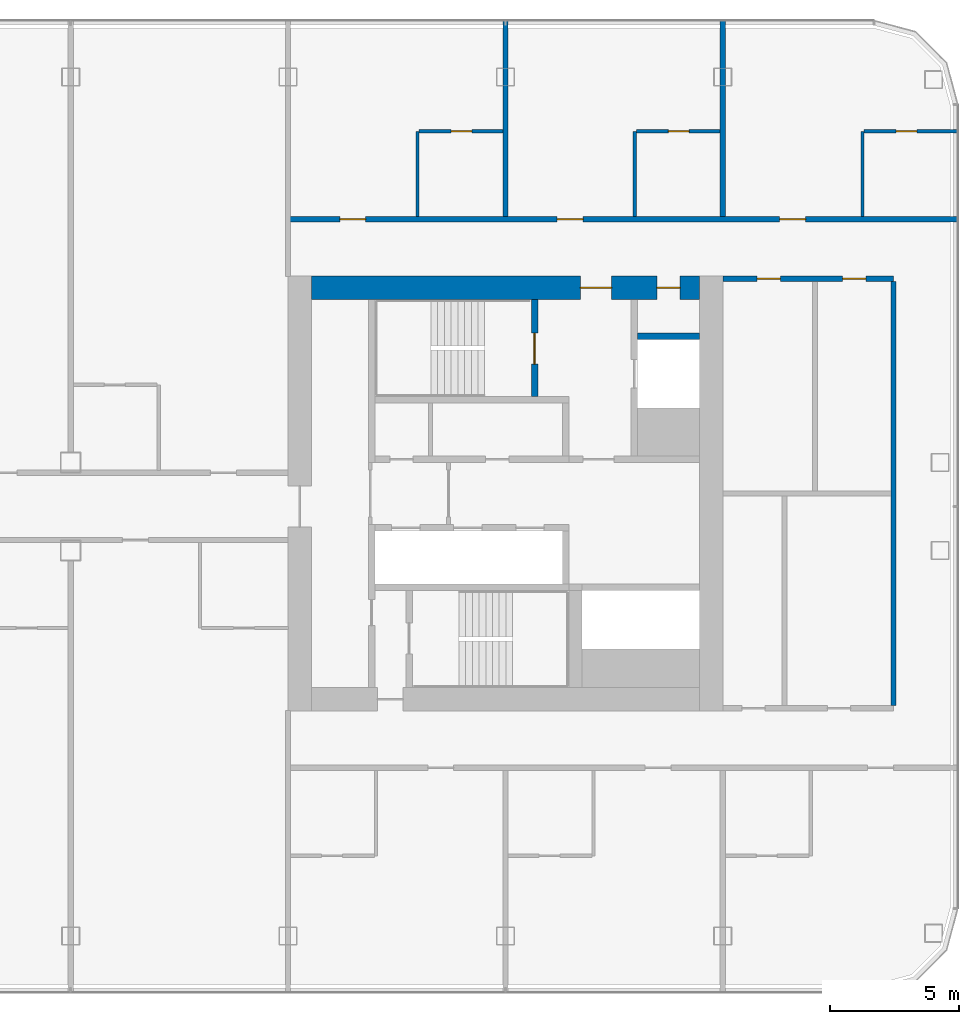
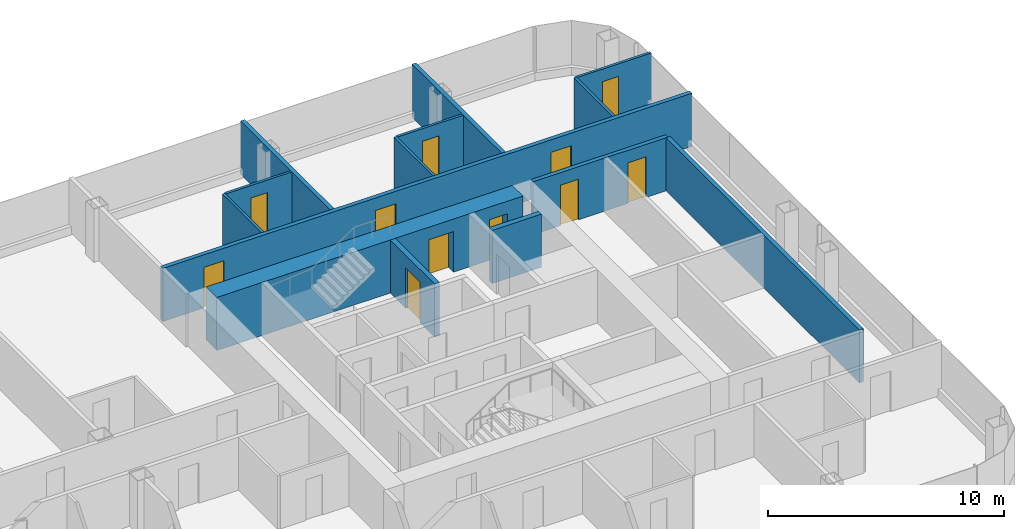
# One storey, part 17 of 26: 14 walls, 11 doors, 11 openings.
"""IFC4 building model written with IfcOpenShell, lengths in metres."""

from ifc_helpers import new_model, si_unit, direction, frame, frame_2d, origin, place, context, subcontext, project, spatial, rectangle, extrude, material, layer, layer_set, type_object, element, fill, save


model = new_model("IFC4")

# Units and contexts
model_context = context("Model", 3, precision=1e-05, world=origin(), true_north=direction((0.0, 1.0)))
body_context = subcontext(model_context, "Body", "Model", "MODEL_VIEW")
ifc_project = project(units=[si_unit("LENGTHUNIT", "METRE"), si_unit("AREAUNIT", "SQUARE_METRE"), si_unit("VOLUMEUNIT", "CUBIC_METRE"), si_unit("PLANEANGLEUNIT", "RADIAN"), si_unit("MASSUNIT", "GRAM", prefix="KILO")], contexts=[model_context])

# Site, building, storey
site_placement = place(None, origin())
site = spatial("IfcSite", under=ifc_project, at=site_placement, CompositionType="ELEMENT")
building_placement = place(site_placement, origin())
building = spatial("IfcBuilding", under=site, at=building_placement, Name="Hakoniwa Tower and Hamabe Station Hall", CompositionType="ELEMENT")
storey_placement = place(building_placement, frame((0.0, 0.0, 131.0)))
storey = spatial("IfcBuildingStorey", under=building, at=storey_placement, Name="L36", CompositionType="ELEMENT", Elevation=131.0)

# Wall, opening, door
ifc_material_1 = material(Name="Gypsum board partition", Category="gypsum")
ifc_layer_1 = layer(ifc_material_1, 0.125)
ifc_layer_set_1 = layer_set([ifc_layer_1], Name="Bathroom Partition 125")
wall_type_1 = type_object("IfcWallType", Name="Bathroom Partition 125", PredefinedType="PARTITIONING", material=ifc_layer_set_1)
wall_1_placement = place(storey_placement, frame((21.862548828125, 14.0, 0.0), z_axis=(0.0, 0.0, 1.0), x_axis=(1.0, 0.0, 0.0)))
wall_1 = element("IfcWall", 1, at=wall_1_placement, inside=storey, type_object=wall_type_1, Name="GW-L36-027", PredefinedType="PARTITIONING", context=body_context, shape_type="SweptSolid", body=[
    extrude(rectangle(XDim=3.237548828125, YDim=0.125, at=frame_2d((1.61865234375, 0.0))), origin(), (0.0, 0.0, 1.0), 2.75),
])
opening_1_placement = place(wall_1_placement, frame((1.237548828125, 0.0, 0.0)))
opening_1 = element("IfcOpeningElement", 2, at=opening_1_placement, cuts=wall_1, Name="Opening GD-G3A0-45", PredefinedType="OPENING", context=body_context, shape_type="SweptSolid", body=[
    extrude(rectangle(XDim=0.800048828125, YDim=2.10009765625, at=frame_2d((0.39990234375, 1.050048828125))), frame((0.0, 0.072509765625, 0.0), z_axis=(0.0, -1.0, 0.0), x_axis=(1.0, 0.0, 0.0)), (0.0, 0.0, 1.0), 0.14501953125),
])
ifc_material_2 = material(Name="Timber door leaf", Category="wood")
door_type_1 = type_object("IfcDoorType", Name="Bathroom Door 800", OperationType="SINGLE_SWING_LEFT", PredefinedType="DOOR", material=ifc_material_2)
door_1_placement = place(opening_1_placement, origin())
door_1 = element("IfcDoor", 3, at=door_1_placement, inside=storey, type_object=door_type_1, Name="Door GD-G3A0-45", OperationType="SINGLE_SWING_RIGHT", OverallHeight=2.10009765625, OverallWidth=0.800048828125, PredefinedType="DOOR", context=body_context, shape_type="SweptSolid", body=[
    extrude(rectangle(XDim=0.800048828125, YDim=2.10009765625, at=frame_2d((0.39990234375, 1.050048828125))), frame((0.0, 0.02490234375, 0.0), z_axis=(0.0, -1.0, 0.0), x_axis=(1.0, 0.0, 0.0)), (0.0, 0.0, 1.0), 0.050048828125),
])
fill(opening_1, door_1)

wall_2_placement = place(storey_placement, frame((30.262451171875, 14.0, 0.0), z_axis=(0.0, 0.0, 1.0), x_axis=(1.0, 0.0, 0.0)))
wall_2 = element("IfcWall", 4, at=wall_2_placement, inside=storey, type_object=wall_type_1, Name="GW-L36-028", PredefinedType="PARTITIONING", context=body_context, shape_type="SweptSolid", body=[
    extrude(rectangle(XDim=3.237548828125, YDim=0.125, at=frame_2d((1.61865234375, 0.0))), origin(), (0.0, 0.0, 1.0), 2.75),
])
opening_2_placement = place(wall_2_placement, frame((1.237548828125, 0.0, 0.0)))
opening_2 = element("IfcOpeningElement", 5, at=opening_2_placement, cuts=wall_2, Name="Opening GD-G3A0-46", PredefinedType="OPENING", context=body_context, shape_type="SweptSolid", body=[
    extrude(rectangle(XDim=0.800048828125, YDim=2.10009765625, at=frame_2d((0.39990234375, 1.050048828125))), frame((0.0, 0.072509765625, 0.0), z_axis=(0.0, -1.0, 0.0), x_axis=(1.0, 0.0, 0.0)), (0.0, 0.0, 1.0), 0.14501953125),
])
door_2_placement = place(opening_2_placement, origin())
door_2 = element("IfcDoor", 6, at=door_2_placement, inside=storey, type_object=door_type_1, Name="Door GD-G3A0-46", OperationType="SINGLE_SWING_LEFT", OverallHeight=2.10009765625, OverallWidth=0.800048828125, PredefinedType="DOOR", context=body_context, shape_type="SweptSolid", body=[
    extrude(rectangle(XDim=0.800048828125, YDim=2.10009765625, at=frame_2d((0.39990234375, 1.050048828125))), frame((0.0, 0.02490234375, 0.0), z_axis=(0.0, -1.0, 0.0), x_axis=(1.0, 0.0, 0.0)), (0.0, 0.0, 1.0), 0.050048828125),
])
fill(opening_2, door_2)

wall_3_placement = place(storey_placement, frame((39.0625, 14.0, 0.0), z_axis=(0.0, 0.0, 1.0), x_axis=(1.0, 0.0, 0.0)))
wall_3 = element("IfcWall", 7, at=wall_3_placement, inside=storey, type_object=wall_type_1, Name="GW-L36-029", PredefinedType="PARTITIONING", context=body_context, shape_type="SweptSolid", body=[
    extrude(rectangle(XDim=3.637451171875, YDim=0.125, at=frame_2d((1.81884765625, 0.0))), origin(), (0.0, 0.0, 1.0), 2.75),
])
opening_3_placement = place(wall_3_placement, frame((1.237548828125, 0.0, 0.0)))
opening_3 = element("IfcOpeningElement", 8, at=opening_3_placement, cuts=wall_3, Name="Opening GD-G3A0-47", PredefinedType="OPENING", context=body_context, shape_type="SweptSolid", body=[
    extrude(rectangle(XDim=0.800048828125, YDim=2.10009765625, at=frame_2d((0.39990234375, 1.050048828125))), frame((0.0, 0.072509765625, 0.0), z_axis=(0.0, -1.0, 0.0), x_axis=(1.0, 0.0, 0.0)), (0.0, 0.0, 1.0), 0.14501953125),
])
door_3_placement = place(opening_3_placement, origin())
door_3 = element("IfcDoor", 9, at=door_3_placement, inside=storey, type_object=door_type_1, Name="Door GD-G3A0-47", OperationType="SINGLE_SWING_LEFT", OverallHeight=2.10009765625, OverallWidth=0.800048828125, PredefinedType="DOOR", context=body_context, shape_type="SweptSolid", body=[
    extrude(rectangle(XDim=0.800048828125, YDim=2.10009765625, at=frame_2d((0.39990234375, 1.050048828125))), frame((0.0, 0.02490234375, 0.0), z_axis=(0.0, -1.0, 0.0), x_axis=(1.0, 0.0, 0.0)), (0.0, 0.0, 1.0), 0.050048828125),
])
fill(opening_3, door_3)

# Walls
for number, where, z_axis, x_axis, name in (
    (10, (21.800048828125, 10.699951171875, 0.0), (0.0, 0.0, 1.0), (0.0, 1.0, 0.0), "GW-L36-061"),
    (11, (30.199951171875, 10.699951171875, 0.0), (0.0, 0.0, 1.0), (0.0, 1.0, 0.0), "GW-L36-065"),
    (12, (39.0, 10.699951171875, 0.0), (0.0, 0.0, 1.0), (0.0, 1.0, 0.0), "GW-L36-071"),
):
    element("IfcWall", number, at=place(storey_placement, frame(where, z_axis=z_axis, x_axis=x_axis)), inside=storey, type_object=wall_type_1, Name=name, PredefinedType="PARTITIONING", context=body_context, shape_type="SweptSolid", body=[
        extrude(rectangle(XDim=3.300048828125, YDim=0.125, at=frame_2d((1.64990234375, 0.0))), origin(), (0.0, 0.0, 1.0), 2.75),
    ])

# Wall, openings, doors
ifc_material_3 = material(Name="Concrete C66", Category="concrete")
ifc_layer_2 = layer(ifc_material_3, 0.89990234375)
ifc_layer_set_2 = layer_set([ifc_layer_2], Name="CORE WALL 900 C66")
wall_type_2 = type_object("IfcWallType", Name="CORE WALL 900 C66", PredefinedType="SHEAR", material=ifc_layer_set_2)
wall_4_placement = place(storey_placement, frame((17.699951171875, 7.949951171875, 0.0), z_axis=(0.0, 0.0, 1.0), x_axis=(1.0, 0.0, 0.0)))
wall_4 = element("IfcWall", 13, at=wall_4_placement, inside=storey, type_object=wall_type_2, Name="Core wall NORTH east", PredefinedType="SHEAR", context=body_context, shape_type="SweptSolid", body=[
    extrude(rectangle(XDim=15.0, YDim=0.89990234375, at=frame_2d((7.5, 0.0))), origin(), (0.0, 0.0, 1.0), 2.75),
])
opening_4_placement = place(wall_4_placement, frame((10.39990234375, 0.0, 0.0)))
opening_4 = element("IfcOpeningElement", 14, at=opening_4_placement, cuts=wall_4, Name="Opening CD-E-FN1-12", PredefinedType="OPENING", context=body_context, shape_type="SweptSolid", body=[
    extrude(rectangle(XDim=1.199951171875, YDim=2.10009765625, at=frame_2d((0.60009765625, 1.050048828125))), frame((0.0, 0.4599609375, 0.0), z_axis=(0.0, -1.0, 0.0), x_axis=(1.0, 0.0, 0.0)), (0.0, 0.0, 1.0), 0.919921875),
])
opening_5_placement = place(wall_4_placement, frame((13.35009765625, 0.0, 0.0)))
opening_5 = element("IfcOpeningElement", 15, at=opening_5_placement, cuts=wall_4, Name="Opening CD-E-FN2-9", PredefinedType="OPENING", context=body_context, shape_type="SweptSolid", body=[
    extrude(rectangle(XDim=0.89990234375, YDim=2.10009765625, at=frame_2d((0.449951171875, 1.050048828125))), frame((0.0, 0.4599609375, 0.0), z_axis=(0.0, -1.0, 0.0), x_axis=(1.0, 0.0, 0.0)), (0.0, 0.0, 1.0), 0.919921875),
])
ifc_material_4 = material(Name="Steel fire door", Category="steel")
door_type_2 = type_object("IfcDoorType", Name="CORE DOOR 1200 FD60", OperationType="DOUBLE_DOOR_SINGLE_SWING", PredefinedType="DOOR", material=ifc_material_4)
door_4_placement = place(opening_4_placement, origin())
door_4 = element("IfcDoor", 16, at=door_4_placement, inside=storey, type_object=door_type_2, Name="Stair vestibule door to the fire-fighting lobby", OperationType="DOUBLE_DOOR_SINGLE_SWING", OverallHeight=2.10009765625, OverallWidth=1.199951171875, PredefinedType="DOOR", context=body_context, shape_type="SweptSolid", body=[
    extrude(rectangle(XDim=1.199951171875, YDim=2.10009765625, at=frame_2d((0.60009765625, 1.050048828125))), frame((0.0, 0.02490234375, 0.0), z_axis=(0.0, -1.0, 0.0), x_axis=(1.0, 0.0, 0.0)), (0.0, 0.0, 1.0), 0.050048828125),
])
fill(opening_4, door_4)
ifc_material_5 = material(Name="Steel fire door", Category="steel")
door_type_3 = type_object("IfcDoorType", Name="CORE DOOR 900 FD30", OperationType="NOTDEFINED", PredefinedType="DOOR", material=ifc_material_5)
door_5_placement = place(opening_5_placement, origin())
door_5 = element("IfcDoor", 17, at=door_5_placement, inside=storey, type_object=door_type_3, Name="Riser access door", OperationType="SINGLE_SWING_RIGHT", OverallHeight=2.10009765625, OverallWidth=0.89990234375, PredefinedType="DOOR", context=body_context, shape_type="SweptSolid", body=[
    extrude(rectangle(XDim=0.89990234375, YDim=2.10009765625, at=frame_2d((0.449951171875, 1.050048828125))), frame((0.0, 0.02490234375, 0.0), z_axis=(0.0, -1.0, 0.0), x_axis=(1.0, 0.0, 0.0)), (0.0, 0.0, 1.0), 0.050048828125),
])
fill(opening_5, door_5)

# Wall, opening, door
ifc_material_6 = material(Name="Concrete C66", Category="concrete")
ifc_layer_3 = layer(ifc_material_6, 0.25)
ifc_layer_set_3 = layer_set([ifc_layer_3], Name="CORE WEB WALL 250 C66")
wall_type_3 = type_object("IfcWallType", Name="CORE WEB WALL 250 C66", PredefinedType="SHEAR", material=ifc_layer_set_3)
wall_5_placement = place(storey_placement, frame((26.324951171875, 3.75, 0.0), z_axis=(0.0, 0.0, 1.0), x_axis=(0.0, 1.0, 0.0)))
wall_5 = element("IfcWall", 18, at=wall_5_placement, inside=storey, type_object=wall_type_3, Name="Core wall NSE east", PredefinedType="SHEAR", context=body_context, shape_type="SweptSolid", body=[
    extrude(rectangle(XDim=3.75, YDim=0.25, at=frame_2d((1.875, 0.0))), origin(), (0.0, 0.0, 1.0), 2.75),
])
opening_6_placement = place(wall_5_placement, frame((1.25, 0.0, 0.0)))
opening_6 = element("IfcOpeningElement", 19, at=opening_6_placement, cuts=wall_5, Name="Opening CD-E-SN-12", PredefinedType="OPENING", context=body_context, shape_type="SweptSolid", body=[
    extrude(rectangle(XDim=1.199951171875, YDim=2.10009765625, at=frame_2d((0.60009765625, 1.050048828125))), frame((0.0, 0.135009765625, 0.0), z_axis=(0.0, -1.0, 0.0), x_axis=(1.0, 0.0, 0.0)), (0.0, 0.0, 1.0), 0.27001953125),
])
door_6_placement = place(opening_6_placement, origin())
door_6 = element("IfcDoor", 20, at=door_6_placement, inside=storey, type_object=door_type_2, Name="Escape stair door", OperationType="DOUBLE_DOOR_SINGLE_SWING", OverallHeight=2.10009765625, OverallWidth=1.199951171875, PredefinedType="DOOR", context=body_context, shape_type="SweptSolid", body=[
    extrude(rectangle(XDim=1.199951171875, YDim=2.10009765625, at=frame_2d((0.60009765625, 1.050048828125))), frame((0.0, 0.02490234375, 0.0), z_axis=(0.0, -1.0, 0.0), x_axis=(1.0, 0.0, 0.0)), (0.0, 0.0, 1.0), 0.050048828125),
])
fill(opening_6, door_6)

# Wall
wall_6_placement = place(storey_placement, frame((30.300048828125, 6.074951171875, 0.0), z_axis=(0.0, 0.0, 1.0), x_axis=(1.0, 0.0, 0.0)))
element("IfcWall", 21, at=wall_6_placement, inside=storey, type_object=wall_type_3, Name="Core wall C2 east", PredefinedType="SHEAR", context=body_context, shape_type="SweptSolid", body=[
    extrude(rectangle(XDim=2.39990234375, YDim=0.25, at=frame_2d((1.199951171875, 0.0))), origin(), (0.0, 0.0, 1.0), 2.75),
])

# Wall, openings, doors
ifc_material_7 = material(Name="Fire-rated gypsum board partition", Category="gypsum")
ifc_layer_4 = layer(ifc_material_7, 0.199951171875)
ifc_layer_set_4 = layer_set([ifc_layer_4], Name="Corridor Wall 200")
wall_type_4 = type_object("IfcWallType", Name="Corridor Wall 200", PredefinedType="PARTITIONING", material=ifc_layer_set_4)
wall_7_placement = place(storey_placement, frame((33.60009765625, 8.300048828125, 0.0), z_axis=(0.0, 0.0, 1.0), x_axis=(1.0, 0.0, 0.0)))
wall_7 = element("IfcWall", 22, at=wall_7_placement, inside=storey, type_object=wall_type_4, Name="GW-L36-021", PredefinedType="PARTITIONING", context=body_context, shape_type="SweptSolid", body=[
    extrude(rectangle(XDim=6.599853515625, YDim=0.199951171875, at=frame_2d((3.2998046875, 0.0))), origin(), (0.0, 0.0, 1.0), 2.75),
])
opening_7_placement = place(wall_7_placement, frame((1.330078125, 0.0, 0.0)))
opening_7 = element("IfcOpeningElement", 23, at=opening_7_placement, cuts=wall_7, Name="Opening GD-G3A0-34", PredefinedType="OPENING", context=body_context, shape_type="SweptSolid", body=[
    extrude(rectangle(XDim=0.89990234375, YDim=2.10009765625, at=frame_2d((0.449951171875, 1.050048828125))), frame((0.0, 0.10986328125, 0.0), z_axis=(0.0, -1.0, 0.0), x_axis=(1.0, 0.0, 0.0)), (0.0, 0.0, 1.0), 0.219970703125),
])
opening_8_placement = place(wall_7_placement, frame((4.6298828125, 0.0, 0.0)))
opening_8 = element("IfcOpeningElement", 24, at=opening_8_placement, cuts=wall_7, Name="Opening GD-G3A0-35", PredefinedType="OPENING", context=body_context, shape_type="SweptSolid", body=[
    extrude(rectangle(XDim=0.89990234375, YDim=2.10009765625, at=frame_2d((0.449951171875, 1.050048828125))), frame((0.0, 0.10986328125, 0.0), z_axis=(0.0, -1.0, 0.0), x_axis=(1.0, 0.0, 0.0)), (0.0, 0.0, 1.0), 0.219970703125),
])
ifc_material_8 = material(Name="Timber door leaf", Category="wood")
door_type_4 = type_object("IfcDoorType", Name="Service Door 900", OperationType="SINGLE_SWING_LEFT", PredefinedType="DOOR", material=ifc_material_8)
door_7_placement = place(opening_7_placement, origin())
door_7 = element("IfcDoor", 25, at=door_7_placement, inside=storey, type_object=door_type_4, Name="Door GD-G3A0-34", OperationType="SINGLE_SWING_RIGHT", OverallHeight=2.10009765625, OverallWidth=0.89990234375, PredefinedType="DOOR", context=body_context, shape_type="SweptSolid", body=[
    extrude(rectangle(XDim=0.89990234375, YDim=2.10009765625, at=frame_2d((0.449951171875, 1.050048828125))), frame((0.0, 0.02490234375, 0.0), z_axis=(0.0, -1.0, 0.0), x_axis=(1.0, 0.0, 0.0)), (0.0, 0.0, 1.0), 0.050048828125),
])
fill(opening_7, door_7)
door_8_placement = place(opening_8_placement, origin())
door_8 = element("IfcDoor", 26, at=door_8_placement, inside=storey, type_object=door_type_4, Name="Door GD-G3A0-35", OperationType="SINGLE_SWING_LEFT", OverallHeight=2.10009765625, OverallWidth=0.89990234375, PredefinedType="DOOR", context=body_context, shape_type="SweptSolid", body=[
    extrude(rectangle(XDim=0.89990234375, YDim=2.10009765625, at=frame_2d((0.449951171875, 1.050048828125))), frame((0.0, 0.02490234375, 0.0), z_axis=(0.0, -1.0, 0.0), x_axis=(1.0, 0.0, 0.0)), (0.0, 0.0, 1.0), 0.050048828125),
])
fill(opening_8, door_8)

wall_8_placement = place(storey_placement, frame((16.800048828125, 10.60009765625, 0.0), z_axis=(0.0, 0.0, 1.0), x_axis=(1.0, 0.0, 0.0)))
wall_8 = element("IfcWall", 27, at=wall_8_placement, inside=storey, type_object=wall_type_4, Name="GW-L36-023", PredefinedType="PARTITIONING", context=body_context, shape_type="SweptSolid", body=[
    extrude(rectangle(XDim=25.89990234375, YDim=0.199951171875, at=frame_2d((12.949951171875, 0.0))), origin(), (0.0, 0.0, 1.0), 2.75),
])
opening_9_placement = place(wall_8_placement, frame((2.0, 0.0, 0.0)))
opening_9 = element("IfcOpeningElement", 28, at=opening_9_placement, cuts=wall_8, Name="Opening GD-G3A0-39", PredefinedType="OPENING", context=body_context, shape_type="SweptSolid", body=[
    extrude(rectangle(XDim=1.0, YDim=2.10009765625, at=frame_2d((0.5, 1.050048828125))), frame((0.0, 0.10986328125, 0.0), z_axis=(0.0, -1.0, 0.0), x_axis=(1.0, 0.0, 0.0)), (0.0, 0.0, 1.0), 0.219970703125),
])
opening_10_placement = place(wall_8_placement, frame((10.39990234375, 0.0, 0.0)))
opening_10 = element("IfcOpeningElement", 29, at=opening_10_placement, cuts=wall_8, Name="Opening GD-G3A0-40", PredefinedType="OPENING", context=body_context, shape_type="SweptSolid", body=[
    extrude(rectangle(XDim=1.0, YDim=2.10009765625, at=frame_2d((0.5, 1.050048828125))), frame((0.0, 0.10986328125, 0.0), z_axis=(0.0, -1.0, 0.0), x_axis=(1.0, 0.0, 0.0)), (0.0, 0.0, 1.0), 0.219970703125),
])
opening_11_placement = place(wall_8_placement, frame((19.0, 0.0, 0.0)))
opening_11 = element("IfcOpeningElement", 30, at=opening_11_placement, cuts=wall_8, Name="Opening GD-G3A0-41", PredefinedType="OPENING", context=body_context, shape_type="SweptSolid", body=[
    extrude(rectangle(XDim=1.0, YDim=2.10009765625, at=frame_2d((0.5, 1.050048828125))), frame((0.0, 0.10986328125, 0.0), z_axis=(0.0, -1.0, 0.0), x_axis=(1.0, 0.0, 0.0)), (0.0, 0.0, 1.0), 0.219970703125),
])
ifc_material_9 = material(Name="Timber door leaf", Category="wood")
door_type_5 = type_object("IfcDoorType", Name="Guest Entrance Door 1000", OperationType="SINGLE_SWING_LEFT", PredefinedType="DOOR", material=ifc_material_9)
door_9_placement = place(opening_9_placement, origin())
door_9 = element("IfcDoor", 31, at=door_9_placement, inside=storey, type_object=door_type_5, Name="Door GD-G3A0-39", OperationType="SINGLE_SWING_RIGHT", OverallHeight=2.10009765625, OverallWidth=1.0, PredefinedType="DOOR", context=body_context, shape_type="SweptSolid", body=[
    extrude(rectangle(XDim=1.0, YDim=2.10009765625, at=frame_2d((0.5, 1.050048828125))), frame((0.0, 0.02490234375, 0.0), z_axis=(0.0, -1.0, 0.0), x_axis=(1.0, 0.0, 0.0)), (0.0, 0.0, 1.0), 0.050048828125),
])
fill(opening_9, door_9)
door_10_placement = place(opening_10_placement, origin())
door_10 = element("IfcDoor", 32, at=door_10_placement, inside=storey, type_object=door_type_5, Name="Door GD-G3A0-40", OperationType="SINGLE_SWING_RIGHT", OverallHeight=2.10009765625, OverallWidth=1.0, PredefinedType="DOOR", context=body_context, shape_type="SweptSolid", body=[
    extrude(rectangle(XDim=1.0, YDim=2.10009765625, at=frame_2d((0.5, 1.050048828125))), frame((0.0, 0.02490234375, 0.0), z_axis=(0.0, -1.0, 0.0), x_axis=(1.0, 0.0, 0.0)), (0.0, 0.0, 1.0), 0.050048828125),
])
fill(opening_10, door_10)
door_11_placement = place(opening_11_placement, origin())
door_11 = element("IfcDoor", 33, at=door_11_placement, inside=storey, type_object=door_type_5, Name="Door GD-G3A0-41", OperationType="SINGLE_SWING_LEFT", OverallHeight=2.10009765625, OverallWidth=1.0, PredefinedType="DOOR", context=body_context, shape_type="SweptSolid", body=[
    extrude(rectangle(XDim=1.0, YDim=2.10009765625, at=frame_2d((0.5, 1.050048828125))), frame((0.0, 0.02490234375, 0.0), z_axis=(0.0, -1.0, 0.0), x_axis=(1.0, 0.0, 0.0)), (0.0, 0.0, 1.0), 0.050048828125),
])
fill(opening_11, door_11)

# Walls
ifc_material_10 = material(Name="Fire-rated gypsum board partition", Category="gypsum")
ifc_layer_5 = layer(ifc_material_10, 0.199951171875)
ifc_layer_set_5 = layer_set([ifc_layer_5], Name="Party Wall 200")
wall_type_5 = type_object("IfcWallType", Name="Party Wall 200", PredefinedType="PARTITIONING", material=ifc_layer_set_5)
for number, where, z_axis, x_axis, name in (
    (34, (25.199951171875, 10.699951171875, 0.0), (0.0, 0.0, 1.0), (0.0, 1.0, 0.0), "GW-L36-063"),
    (35, (33.60009765625, 10.699951171875, 0.0), (0.0, 0.0, 1.0), (0.0, 1.0, 0.0), "GW-L36-067"),
):
    element("IfcWall", number, at=place(storey_placement, frame(where, z_axis=z_axis, x_axis=x_axis)), inside=storey, type_object=wall_type_5, Name=name, PredefinedType="PARTITIONING", context=body_context, shape_type="SweptSolid", body=[
        extrude(rectangle(XDim=7.60009765625, YDim=0.199951171875, at=frame_2d((3.800048828125, 0.0))), origin(), (0.0, 0.0, 1.0), 2.75),
    ])
wall_9_placement = place(storey_placement, frame((40.199951171875, -8.199951171875, 0.0), z_axis=(0.0, 0.0, 1.0), x_axis=(0.0, 1.0, 0.0)))
element("IfcWall", 36, at=wall_9_placement, inside=storey, type_object=wall_type_5, Name="GW-L36-072", PredefinedType="PARTITIONING", context=body_context, shape_type="SweptSolid", body=[
    extrude(rectangle(XDim=16.39990234375, YDim=0.199951171875, at=frame_2d((8.199951171875, 0.0))), origin(), (0.0, 0.0, 1.0), 2.75),
])

save(model, "model.ifc")
